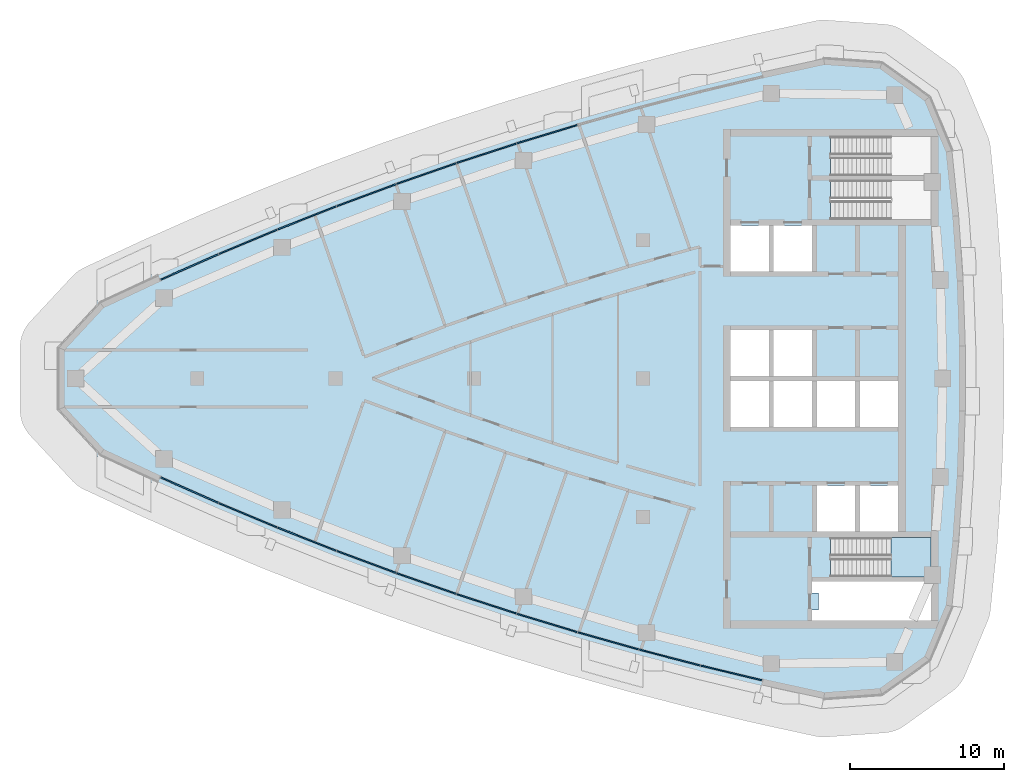
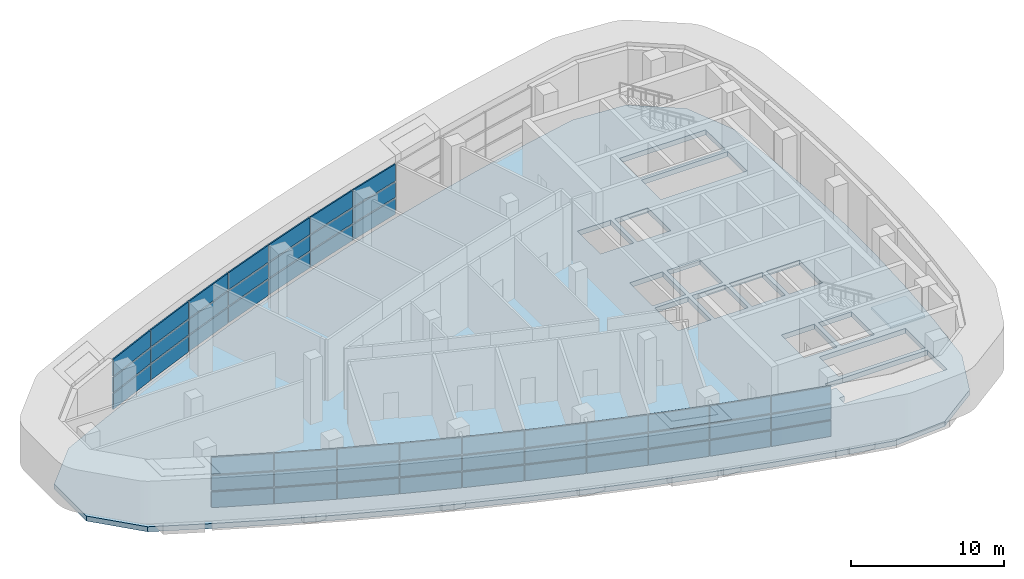
# One storey, part 6 of 14: 51 plates, 2 slabs, 1 opening, 10 elements without a shape of their own.
"""IFC4 building model written with IfcOpenShell, lengths in metres."""

from ifc_helpers import new_model, si_unit, direction, frame, origin, origin_2d, place, context, subcontext, project, spatial, polyline, rectangle, outline, extrude, material, layer, layer_set, type_object, element, aggregate, save


model = new_model("IFC4")

# Units and contexts
model_context = context("Model", 3, precision=1e-05, world=origin(), true_north=direction((0.0, 1.0)))
body_context = subcontext(model_context, "Body", "Model", "MODEL_VIEW")
ifc_project = project(units=[si_unit("LENGTHUNIT", "METRE"), si_unit("AREAUNIT", "SQUARE_METRE"), si_unit("VOLUMEUNIT", "CUBIC_METRE"), si_unit("PLANEANGLEUNIT", "RADIAN"), si_unit("MASSUNIT", "GRAM", prefix="KILO")], contexts=[model_context])

# Site, building, storey
site_placement = place(None, origin())
site = spatial("IfcSite", under=ifc_project, at=site_placement, CompositionType="ELEMENT")
building_placement = place(site_placement, origin())
building = spatial("IfcBuilding", under=site, at=building_placement, Name="Ostrand Prow Hotel Tower", CompositionType="ELEMENT")
storey_placement = place(building_placement, frame((0.0, 0.0, 303.39990234375)))
storey = spatial("IfcBuildingStorey", under=building, at=storey_placement, Name="L77", CompositionType="ELEMENT", Elevation=303.39990234375)

# Curtain wall, plates
ifc_material_1 = material(Name="Insulated glass in bronze anodised frame", Category="glass")
ifc_layer_1 = layer(ifc_material_1, 0.199951171875)
ifc_layer_set_1 = layer_set([ifc_layer_1], Name="Insulated glass in bronze anodised frame")
curtain_wall_type = type_object("IfcCurtainWallType", Name="Plant storey louvre wall", PredefinedType="NOTDEFINED", material=ifc_layer_set_1)
curtain_wall_1_placement = place(storey_placement, origin())
curtain_wall_1 = element("IfcCurtainWall", 1, at=curtain_wall_1_placement, inside=storey, type_object=curtain_wall_type, Name="CW7 run CWS1", PredefinedType="NOTDEFINED")
ifc_material_2 = material(Name="Bronze anodised aluminium louvre", Category="aluminium")
ifc_layer_2 = layer(ifc_material_2, 0.10009765625)
ifc_layer_set_2 = layer_set([ifc_layer_2], Name="Bronze anodised aluminium louvre")
plate_type = type_object("IfcPlateType", Name="Bronze louvre panel 100 mm", PredefinedType="CURTAIN_PANEL", material=ifc_layer_set_2)
plate_1_placement = place(storey_placement, frame((15.493408203125, -7.259765625, 0.89990234375), z_axis=(0.0, 0.0, 1.0), x_axis=(0.914785615941, -0.403939694592, 0.0)))
plate_1 = element("IfcPlate", 2, at=plate_1_placement, type_object=plate_type, Name="CW7 PN-V panel 1.1", PredefinedType="CURTAIN_PANEL", context=body_context, shape_type="SweptSolid", body=[
    extrude(rectangle(XDim=4.079833984375, YDim=0.10009765625, at=origin_2d()), origin(), (0.0, 0.0, 1.0), 1.239990234375),
])
plate_2_placement = place(storey_placement, frame((15.493408203125, -7.259765625, 2.26025390625), z_axis=(0.0, 0.0, 1.0), x_axis=(0.914785615941, -0.403939694592, 0.0)))
plate_2 = element("IfcPlate", 3, at=plate_2_placement, type_object=plate_type, Name="CW7 PN-V panel 1.2", PredefinedType="CURTAIN_PANEL", context=body_context, shape_type="SweptSolid", body=[
    extrude(rectangle(XDim=4.079833984375, YDim=0.10009765625, at=origin_2d()), origin(), (0.0, 0.0, 1.0), 1.179931640625),
])
plate_3_placement = place(storey_placement, frame((15.493408203125, -7.259765625, 3.56005859375), z_axis=(0.0, 0.0, 1.0), x_axis=(0.914785615941, -0.403939694592, 0.0)))
plate_3 = element("IfcPlate", 4, at=plate_3_placement, type_object=plate_type, Name="CW7 PN-V panel 1.3", PredefinedType="CURTAIN_PANEL", context=body_context, shape_type="SweptSolid", body=[
    extrude(rectangle(XDim=4.079833984375, YDim=0.10009765625, at=origin_2d()), origin(), (0.0, 0.0, 1.0), 1.340087890625),
])
plate_4_placement = place(storey_placement, frame((19.297119140625, -8.893798828125, 0.89990234375), z_axis=(0.0, 0.0, 1.0), x_axis=(0.922719840955, -0.385471263659, 0.0)))
plate_4 = element("IfcPlate", 5, at=plate_4_placement, type_object=plate_type, Name="CW7 PN-V panel 2.1", PredefinedType="CURTAIN_PANEL", context=body_context, shape_type="SweptSolid", body=[
    extrude(rectangle(XDim=4.079833984375, YDim=0.10009765625, at=origin_2d()), origin(), (0.0, 0.0, 1.0), 1.239990234375),
])
plate_5_placement = place(storey_placement, frame((19.297119140625, -8.893798828125, 2.26025390625), z_axis=(0.0, 0.0, 1.0), x_axis=(0.922719840955, -0.385471263659, 0.0)))
plate_5 = element("IfcPlate", 6, at=plate_5_placement, type_object=plate_type, Name="CW7 PN-V panel 2.2", PredefinedType="CURTAIN_PANEL", context=body_context, shape_type="SweptSolid", body=[
    extrude(rectangle(XDim=4.079833984375, YDim=0.10009765625, at=origin_2d()), origin(), (0.0, 0.0, 1.0), 1.179931640625),
])
plate_6_placement = place(storey_placement, frame((19.297119140625, -8.893798828125, 3.56005859375), z_axis=(0.0, 0.0, 1.0), x_axis=(0.922719840955, -0.385471263659, 0.0)))
plate_6 = element("IfcPlate", 7, at=plate_6_placement, type_object=plate_type, Name="CW7 PN-V panel 2.3", PredefinedType="CURTAIN_PANEL", context=body_context, shape_type="SweptSolid", body=[
    extrude(rectangle(XDim=4.079833984375, YDim=0.10009765625, at=origin_2d()), origin(), (0.0, 0.0, 1.0), 1.340087890625),
])
aggregate(curtain_wall_1, [plate_1, plate_2, plate_3, plate_4, plate_5, plate_6])

curtain_wall_2_placement = place(storey_placement, origin())
curtain_wall_2 = element("IfcCurtainWall", 8, at=curtain_wall_2_placement, inside=storey, type_object=curtain_wall_type, Name="CW7 run CWS2", PredefinedType="NOTDEFINED")
plate_7_placement = place(storey_placement, frame((23.132568359375, -10.450927734375, 0.89990234375), z_axis=(0.0, 0.0, 1.0), x_axis=(0.930281895249, -0.366845465248, 0.0)))
plate_7 = element("IfcPlate", 9, at=plate_7_placement, type_object=plate_type, Name="CW7 PN-V panel 1.1", PredefinedType="CURTAIN_PANEL", context=body_context, shape_type="SweptSolid", body=[
    extrude(rectangle(XDim=4.079833984375, YDim=0.10009765625, at=origin_2d()), origin(), (0.0, 0.0, 1.0), 1.239990234375),
])
plate_8_placement = place(storey_placement, frame((23.132568359375, -10.450927734375, 2.26025390625), z_axis=(0.0, 0.0, 1.0), x_axis=(0.930281895249, -0.366845465248, 0.0)))
plate_8 = element("IfcPlate", 10, at=plate_8_placement, type_object=plate_type, Name="CW7 PN-V panel 1.2", PredefinedType="CURTAIN_PANEL", context=body_context, shape_type="SweptSolid", body=[
    extrude(rectangle(XDim=4.079833984375, YDim=0.10009765625, at=origin_2d()), origin(), (0.0, 0.0, 1.0), 1.179931640625),
])
plate_9_placement = place(storey_placement, frame((23.132568359375, -10.450927734375, 3.56005859375), z_axis=(0.0, 0.0, 1.0), x_axis=(0.930281895249, -0.366845465248, 0.0)))
plate_9 = element("IfcPlate", 11, at=plate_9_placement, type_object=plate_type, Name="CW7 PN-V panel 1.3", PredefinedType="CURTAIN_PANEL", context=body_context, shape_type="SweptSolid", body=[
    extrude(rectangle(XDim=4.079833984375, YDim=0.10009765625, at=origin_2d()), origin(), (0.0, 0.0, 1.0), 1.340087890625),
])
plate_10_placement = place(storey_placement, frame((26.99853515625, -11.930908203125, 0.89990234375), z_axis=(0.0, 0.0, 1.0), x_axis=(0.937468017947, -0.348071422738, 0.0)))
plate_10 = element("IfcPlate", 12, at=plate_10_placement, type_object=plate_type, Name="CW7 PN-V panel 2.1", PredefinedType="CURTAIN_PANEL", context=body_context, shape_type="SweptSolid", body=[
    extrude(rectangle(XDim=4.079833984375, YDim=0.10009765625, at=origin_2d()), origin(), (0.0, 0.0, 1.0), 1.239990234375),
])
plate_11_placement = place(storey_placement, frame((26.99853515625, -11.930908203125, 2.26025390625), z_axis=(0.0, 0.0, 1.0), x_axis=(0.937468017947, -0.348071422738, 0.0)))
plate_11 = element("IfcPlate", 13, at=plate_11_placement, type_object=plate_type, Name="CW7 PN-V panel 2.2", PredefinedType="CURTAIN_PANEL", context=body_context, shape_type="SweptSolid", body=[
    extrude(rectangle(XDim=4.079833984375, YDim=0.10009765625, at=origin_2d()), origin(), (0.0, 0.0, 1.0), 1.179931640625),
])
plate_12_placement = place(storey_placement, frame((26.99853515625, -11.930908203125, 3.56005859375), z_axis=(0.0, 0.0, 1.0), x_axis=(0.937468017947, -0.348071422738, 0.0)))
plate_12 = element("IfcPlate", 14, at=plate_12_placement, type_object=plate_type, Name="CW7 PN-V panel 2.3", PredefinedType="CURTAIN_PANEL", context=body_context, shape_type="SweptSolid", body=[
    extrude(rectangle(XDim=4.079833984375, YDim=0.10009765625, at=origin_2d()), origin(), (0.0, 0.0, 1.0), 1.340087890625),
])
aggregate(curtain_wall_2, [plate_7, plate_8, plate_9, plate_10, plate_11, plate_12])

curtain_wall_3_placement = place(storey_placement, origin())
curtain_wall_3 = element("IfcCurtainWall", 15, at=curtain_wall_3_placement, inside=storey, type_object=curtain_wall_type, Name="CW7 run CWS3", PredefinedType="NOTDEFINED")
plate_13_placement = place(storey_placement, frame((30.8935546875, -13.33251953125, 0.89990234375), z_axis=(0.0, 0.0, 1.0), x_axis=(0.944274730614, -0.329158370885, 0.0)))
plate_13 = element("IfcPlate", 16, at=plate_13_placement, type_object=plate_type, Name="CW7 PN-V panel 1.1", PredefinedType="CURTAIN_PANEL", context=body_context, shape_type="SweptSolid", body=[
    extrude(rectangle(XDim=4.079833984375, YDim=0.10009765625, at=origin_2d()), origin(), (0.0, 0.0, 1.0), 1.239990234375),
])
plate_14_placement = place(storey_placement, frame((30.8935546875, -13.33251953125, 2.26025390625), z_axis=(0.0, 0.0, 1.0), x_axis=(0.944274730614, -0.329158370885, 0.0)))
plate_14 = element("IfcPlate", 17, at=plate_14_placement, type_object=plate_type, Name="CW7 PN-V panel 1.2", PredefinedType="CURTAIN_PANEL", context=body_context, shape_type="SweptSolid", body=[
    extrude(rectangle(XDim=4.079833984375, YDim=0.10009765625, at=origin_2d()), origin(), (0.0, 0.0, 1.0), 1.179931640625),
])
plate_15_placement = place(storey_placement, frame((30.8935546875, -13.33251953125, 3.56005859375), z_axis=(0.0, 0.0, 1.0), x_axis=(0.944274730614, -0.329158370885, 0.0)))
plate_15 = element("IfcPlate", 18, at=plate_15_placement, type_object=plate_type, Name="CW7 PN-V panel 1.3", PredefinedType="CURTAIN_PANEL", context=body_context, shape_type="SweptSolid", body=[
    extrude(rectangle(XDim=4.079833984375, YDim=0.10009765625, at=origin_2d()), origin(), (0.0, 0.0, 1.0), 1.340087890625),
])
plate_16_placement = place(storey_placement, frame((34.81591796875, -14.65576171875, 0.89990234375), z_axis=(0.0, 0.0, 1.0), x_axis=(0.950700464612, -0.310110668289, 0.0)))
plate_16 = element("IfcPlate", 19, at=plate_16_placement, type_object=plate_type, Name="CW7 PN-V panel 2.1", PredefinedType="CURTAIN_PANEL", context=body_context, shape_type="SweptSolid", body=[
    extrude(rectangle(XDim=4.079833984375, YDim=0.10009765625, at=origin_2d()), origin(), (0.0, 0.0, 1.0), 1.239990234375),
])
plate_17_placement = place(storey_placement, frame((34.81591796875, -14.65576171875, 2.26025390625), z_axis=(0.0, 0.0, 1.0), x_axis=(0.950700464612, -0.310110668289, 0.0)))
plate_17 = element("IfcPlate", 20, at=plate_17_placement, type_object=plate_type, Name="CW7 PN-V panel 2.2", PredefinedType="CURTAIN_PANEL", context=body_context, shape_type="SweptSolid", body=[
    extrude(rectangle(XDim=4.079833984375, YDim=0.10009765625, at=origin_2d()), origin(), (0.0, 0.0, 1.0), 1.179931640625),
])
plate_18_placement = place(storey_placement, frame((34.81591796875, -14.65576171875, 3.56005859375), z_axis=(0.0, 0.0, 1.0), x_axis=(0.950700464612, -0.310110668289, 0.0)))
plate_18 = element("IfcPlate", 21, at=plate_18_placement, type_object=plate_type, Name="CW7 PN-V panel 2.3", PredefinedType="CURTAIN_PANEL", context=body_context, shape_type="SweptSolid", body=[
    extrude(rectangle(XDim=4.079833984375, YDim=0.10009765625, at=origin_2d()), origin(), (0.0, 0.0, 1.0), 1.340087890625),
])
aggregate(curtain_wall_3, [plate_13, plate_14, plate_15, plate_16, plate_17, plate_18])

curtain_wall_4_placement = place(storey_placement, origin())
curtain_wall_4 = element("IfcCurtainWall", 22, at=curtain_wall_4_placement, inside=storey, type_object=curtain_wall_type, Name="CW7 run CWS4", PredefinedType="NOTDEFINED")
plate_19_placement = place(storey_placement, frame((38.76416015625, -15.89990234375, 0.89990234375), z_axis=(0.0, 0.0, 1.0), x_axis=(0.956742015769, -0.290937648411, 0.0)))
plate_19 = element("IfcPlate", 23, at=plate_19_placement, type_object=plate_type, Name="CW7 PN-V panel 1.1", PredefinedType="CURTAIN_PANEL", context=body_context, shape_type="SweptSolid", body=[
    extrude(rectangle(XDim=4.079833984375, YDim=0.10009765625, at=origin_2d()), origin(), (0.0, 0.0, 1.0), 1.239990234375),
])
plate_20_placement = place(storey_placement, frame((38.76416015625, -15.89990234375, 2.26025390625), z_axis=(0.0, 0.0, 1.0), x_axis=(0.956742015769, -0.290937648411, 0.0)))
plate_20 = element("IfcPlate", 24, at=plate_20_placement, type_object=plate_type, Name="CW7 PN-V panel 1.2", PredefinedType="CURTAIN_PANEL", context=body_context, shape_type="SweptSolid", body=[
    extrude(rectangle(XDim=4.079833984375, YDim=0.10009765625, at=origin_2d()), origin(), (0.0, 0.0, 1.0), 1.179931640625),
])
plate_21_placement = place(storey_placement, frame((38.76416015625, -15.89990234375, 3.56005859375), z_axis=(0.0, 0.0, 1.0), x_axis=(0.956742015769, -0.290937648411, 0.0)))
plate_21 = element("IfcPlate", 25, at=plate_21_placement, type_object=plate_type, Name="CW7 PN-V panel 1.3", PredefinedType="CURTAIN_PANEL", context=body_context, shape_type="SweptSolid", body=[
    extrude(rectangle(XDim=4.079833984375, YDim=0.10009765625, at=origin_2d()), origin(), (0.0, 0.0, 1.0), 1.340087890625),
])
plate_22_placement = place(storey_placement, frame((42.736572265625, -17.064453125, 0.89990234375), z_axis=(0.0, 0.0, 1.0), x_axis=(0.962396468548, -0.271648738865, 0.0)))
plate_22 = element("IfcPlate", 26, at=plate_22_placement, type_object=plate_type, Name="CW7 PN-V panel 2.1", PredefinedType="CURTAIN_PANEL", context=body_context, shape_type="SweptSolid", body=[
    extrude(rectangle(XDim=4.079833984375, YDim=0.10009765625, at=origin_2d()), origin(), (0.0, 0.0, 1.0), 1.239990234375),
])
plate_23_placement = place(storey_placement, frame((42.736572265625, -17.064453125, 2.26025390625), z_axis=(0.0, 0.0, 1.0), x_axis=(0.962396468548, -0.271648738865, 0.0)))
plate_23 = element("IfcPlate", 27, at=plate_23_placement, type_object=plate_type, Name="CW7 PN-V panel 2.2", PredefinedType="CURTAIN_PANEL", context=body_context, shape_type="SweptSolid", body=[
    extrude(rectangle(XDim=4.079833984375, YDim=0.10009765625, at=origin_2d()), origin(), (0.0, 0.0, 1.0), 1.179931640625),
])
plate_24_placement = place(storey_placement, frame((42.736572265625, -17.064453125, 3.56005859375), z_axis=(0.0, 0.0, 1.0), x_axis=(0.962396468548, -0.271648738865, 0.0)))
plate_24 = element("IfcPlate", 28, at=plate_24_placement, type_object=plate_type, Name="CW7 PN-V panel 2.3", PredefinedType="CURTAIN_PANEL", context=body_context, shape_type="SweptSolid", body=[
    extrude(rectangle(XDim=4.079833984375, YDim=0.10009765625, at=origin_2d()), origin(), (0.0, 0.0, 1.0), 1.340087890625),
])
aggregate(curtain_wall_4, [plate_19, plate_20, plate_21, plate_22, plate_23, plate_24])

curtain_wall_5_placement = place(storey_placement, origin())
curtain_wall_5 = element("IfcCurtainWall", 29, at=curtain_wall_5_placement, inside=storey, type_object=curtain_wall_type, Name="CW7 run CWS5", PredefinedType="NOTDEFINED")
plate_25_placement = place(storey_placement, frame((46.731689453125, -18.148681640625, 0.89990234375), z_axis=(0.0, 0.0, 1.0), x_axis=(0.967662519855, -0.252248384867, 0.0)))
plate_25 = element("IfcPlate", 30, at=plate_25_placement, type_object=plate_type, Name="CW7 PN-V panel 1.1", PredefinedType="CURTAIN_PANEL", context=body_context, shape_type="SweptSolid", body=[
    extrude(rectangle(XDim=4.079833984375, YDim=0.10009765625, at=origin_2d()), origin(), (0.0, 0.0, 1.0), 1.239990234375),
])
plate_26_placement = place(storey_placement, frame((46.731689453125, -18.148681640625, 2.26025390625), z_axis=(0.0, 0.0, 1.0), x_axis=(0.967662519855, -0.252248384867, 0.0)))
plate_26 = element("IfcPlate", 31, at=plate_26_placement, type_object=plate_type, Name="CW7 PN-V panel 1.2", PredefinedType="CURTAIN_PANEL", context=body_context, shape_type="SweptSolid", body=[
    extrude(rectangle(XDim=4.079833984375, YDim=0.10009765625, at=origin_2d()), origin(), (0.0, 0.0, 1.0), 1.179931640625),
])
plate_27_placement = place(storey_placement, frame((46.731689453125, -18.148681640625, 3.56005859375), z_axis=(0.0, 0.0, 1.0), x_axis=(0.967662519855, -0.252248384867, 0.0)))
plate_27 = element("IfcPlate", 32, at=plate_27_placement, type_object=plate_type, Name="CW7 PN-V panel 1.3", PredefinedType="CURTAIN_PANEL", context=body_context, shape_type="SweptSolid", body=[
    extrude(rectangle(XDim=4.079833984375, YDim=0.10009765625, at=origin_2d()), origin(), (0.0, 0.0, 1.0), 1.340087890625),
])
plate_28_placement = place(storey_placement, frame((50.74755859375, -19.152587890625, 0.89990234375), z_axis=(0.0, 0.0, 1.0), x_axis=(0.972537533869, -0.232746096028, 0.0)))
plate_28 = element("IfcPlate", 33, at=plate_28_placement, type_object=plate_type, Name="CW7 PN-V panel 2.1", PredefinedType="CURTAIN_PANEL", context=body_context, shape_type="SweptSolid", body=[
    extrude(rectangle(XDim=4.079833984375, YDim=0.10009765625, at=origin_2d()), origin(), (0.0, 0.0, 1.0), 1.239990234375),
])
plate_29_placement = place(storey_placement, frame((50.74755859375, -19.152587890625, 2.26025390625), z_axis=(0.0, 0.0, 1.0), x_axis=(0.972537533869, -0.232746096028, 0.0)))
plate_29 = element("IfcPlate", 34, at=plate_29_placement, type_object=plate_type, Name="CW7 PN-V panel 2.2", PredefinedType="CURTAIN_PANEL", context=body_context, shape_type="SweptSolid", body=[
    extrude(rectangle(XDim=4.079833984375, YDim=0.10009765625, at=origin_2d()), origin(), (0.0, 0.0, 1.0), 1.179931640625),
])
plate_30_placement = place(storey_placement, frame((50.74755859375, -19.152587890625, 3.56005859375), z_axis=(0.0, 0.0, 1.0), x_axis=(0.972537533869, -0.232746096028, 0.0)))
plate_30 = element("IfcPlate", 35, at=plate_30_placement, type_object=plate_type, Name="CW7 PN-V panel 2.3", PredefinedType="CURTAIN_PANEL", context=body_context, shape_type="SweptSolid", body=[
    extrude(rectangle(XDim=4.079833984375, YDim=0.10009765625, at=origin_2d()), origin(), (0.0, 0.0, 1.0), 1.340087890625),
])
aggregate(curtain_wall_5, [plate_25, plate_26, plate_27, plate_28, plate_29, plate_30])

curtain_wall_6_placement = place(storey_placement, origin())
curtain_wall_6 = element("IfcCurtainWall", 36, at=curtain_wall_6_placement, inside=storey, type_object=curtain_wall_type, Name="CW7 run CWN2", PredefinedType="NOTDEFINED")
plate_31_placement = place(storey_placement, frame((38.76416015625, 15.89990234375, 0.89990234375), z_axis=(0.0, 0.0, 1.0), x_axis=(-0.956742015769, -0.290937648411, 0.0)))
plate_31 = element("IfcPlate", 37, at=plate_31_placement, type_object=plate_type, Name="CW7 PN-V panel 2.1", PredefinedType="CURTAIN_PANEL", context=body_context, shape_type="SweptSolid", body=[
    extrude(rectangle(XDim=4.079833984375, YDim=0.10009765625, at=origin_2d()), origin(), (0.0, 0.0, 1.0), 1.239990234375),
])
plate_32_placement = place(storey_placement, frame((38.76416015625, 15.89990234375, 2.26025390625), z_axis=(0.0, 0.0, 1.0), x_axis=(-0.956742015769, -0.290937648411, 0.0)))
plate_32 = element("IfcPlate", 38, at=plate_32_placement, type_object=plate_type, Name="CW7 PN-V panel 2.2", PredefinedType="CURTAIN_PANEL", context=body_context, shape_type="SweptSolid", body=[
    extrude(rectangle(XDim=4.079833984375, YDim=0.10009765625, at=origin_2d()), origin(), (0.0, 0.0, 1.0), 1.179931640625),
])
plate_33_placement = place(storey_placement, frame((38.76416015625, 15.89990234375, 3.56005859375), z_axis=(0.0, 0.0, 1.0), x_axis=(-0.956742015769, -0.290937648411, 0.0)))
plate_33 = element("IfcPlate", 39, at=plate_33_placement, type_object=plate_type, Name="CW7 PN-V panel 2.3", PredefinedType="CURTAIN_PANEL", context=body_context, shape_type="SweptSolid", body=[
    extrude(rectangle(XDim=4.079833984375, YDim=0.10009765625, at=origin_2d()), origin(), (0.0, 0.0, 1.0), 1.340087890625),
])
aggregate(curtain_wall_6, [plate_31, plate_32, plate_33])

curtain_wall_7_placement = place(storey_placement, origin())
curtain_wall_7 = element("IfcCurtainWall", 40, at=curtain_wall_7_placement, inside=storey, type_object=curtain_wall_type, Name="CW7 run CWN3", PredefinedType="NOTDEFINED")
plate_34_placement = place(storey_placement, frame((34.81591796875, 14.65576171875, 0.89990234375), z_axis=(0.0, 0.0, 1.0), x_axis=(-0.950700464612, -0.310110668289, 0.0)))
plate_34 = element("IfcPlate", 41, at=plate_34_placement, type_object=plate_type, Name="CW7 PN-V panel 1.1", PredefinedType="CURTAIN_PANEL", context=body_context, shape_type="SweptSolid", body=[
    extrude(rectangle(XDim=4.079833984375, YDim=0.10009765625, at=origin_2d()), origin(), (0.0, 0.0, 1.0), 1.239990234375),
])
plate_35_placement = place(storey_placement, frame((34.81591796875, 14.65576171875, 2.26025390625), z_axis=(0.0, 0.0, 1.0), x_axis=(-0.950700464612, -0.310110668289, 0.0)))
plate_35 = element("IfcPlate", 42, at=plate_35_placement, type_object=plate_type, Name="CW7 PN-V panel 1.2", PredefinedType="CURTAIN_PANEL", context=body_context, shape_type="SweptSolid", body=[
    extrude(rectangle(XDim=4.079833984375, YDim=0.10009765625, at=origin_2d()), origin(), (0.0, 0.0, 1.0), 1.179931640625),
])
plate_36_placement = place(storey_placement, frame((34.81591796875, 14.65576171875, 3.56005859375), z_axis=(0.0, 0.0, 1.0), x_axis=(-0.950700464612, -0.310110668289, 0.0)))
plate_36 = element("IfcPlate", 43, at=plate_36_placement, type_object=plate_type, Name="CW7 PN-V panel 1.3", PredefinedType="CURTAIN_PANEL", context=body_context, shape_type="SweptSolid", body=[
    extrude(rectangle(XDim=4.079833984375, YDim=0.10009765625, at=origin_2d()), origin(), (0.0, 0.0, 1.0), 1.340087890625),
])
plate_37_placement = place(storey_placement, frame((30.8935546875, 13.33251953125, 0.89990234375), z_axis=(0.0, 0.0, 1.0), x_axis=(-0.944274730614, -0.329158370885, 0.0)))
plate_37 = element("IfcPlate", 44, at=plate_37_placement, type_object=plate_type, Name="CW7 PN-V panel 2.1", PredefinedType="CURTAIN_PANEL", context=body_context, shape_type="SweptSolid", body=[
    extrude(rectangle(XDim=4.079833984375, YDim=0.10009765625, at=origin_2d()), origin(), (0.0, 0.0, 1.0), 1.239990234375),
])
plate_38_placement = place(storey_placement, frame((30.8935546875, 13.33251953125, 2.26025390625), z_axis=(0.0, 0.0, 1.0), x_axis=(-0.944274730614, -0.329158370885, 0.0)))
plate_38 = element("IfcPlate", 45, at=plate_38_placement, type_object=plate_type, Name="CW7 PN-V panel 2.2", PredefinedType="CURTAIN_PANEL", context=body_context, shape_type="SweptSolid", body=[
    extrude(rectangle(XDim=4.079833984375, YDim=0.10009765625, at=origin_2d()), origin(), (0.0, 0.0, 1.0), 1.179931640625),
])
plate_39_placement = place(storey_placement, frame((30.8935546875, 13.33251953125, 3.56005859375), z_axis=(0.0, 0.0, 1.0), x_axis=(-0.944274730614, -0.329158370885, 0.0)))
plate_39 = element("IfcPlate", 46, at=plate_39_placement, type_object=plate_type, Name="CW7 PN-V panel 2.3", PredefinedType="CURTAIN_PANEL", context=body_context, shape_type="SweptSolid", body=[
    extrude(rectangle(XDim=4.079833984375, YDim=0.10009765625, at=origin_2d()), origin(), (0.0, 0.0, 1.0), 1.340087890625),
])
aggregate(curtain_wall_7, [plate_34, plate_35, plate_36, plate_37, plate_38, plate_39])

curtain_wall_8_placement = place(storey_placement, origin())
curtain_wall_8 = element("IfcCurtainWall", 47, at=curtain_wall_8_placement, inside=storey, type_object=curtain_wall_type, Name="CW7 run CWN4", PredefinedType="NOTDEFINED")
plate_40_placement = place(storey_placement, frame((26.99853515625, 11.930908203125, 0.89990234375), z_axis=(0.0, 0.0, 1.0), x_axis=(-0.937468017947, -0.348071422738, 0.0)))
plate_40 = element("IfcPlate", 48, at=plate_40_placement, type_object=plate_type, Name="CW7 PN-V panel 1.1", PredefinedType="CURTAIN_PANEL", context=body_context, shape_type="SweptSolid", body=[
    extrude(rectangle(XDim=4.079833984375, YDim=0.10009765625, at=origin_2d()), origin(), (0.0, 0.0, 1.0), 1.239990234375),
])
plate_41_placement = place(storey_placement, frame((26.99853515625, 11.930908203125, 2.26025390625), z_axis=(0.0, 0.0, 1.0), x_axis=(-0.937468017947, -0.348071422738, 0.0)))
plate_41 = element("IfcPlate", 49, at=plate_41_placement, type_object=plate_type, Name="CW7 PN-V panel 1.2", PredefinedType="CURTAIN_PANEL", context=body_context, shape_type="SweptSolid", body=[
    extrude(rectangle(XDim=4.079833984375, YDim=0.10009765625, at=origin_2d()), origin(), (0.0, 0.0, 1.0), 1.179931640625),
])
plate_42_placement = place(storey_placement, frame((26.99853515625, 11.930908203125, 3.56005859375), z_axis=(0.0, 0.0, 1.0), x_axis=(-0.937468017947, -0.348071422738, 0.0)))
plate_42 = element("IfcPlate", 50, at=plate_42_placement, type_object=plate_type, Name="CW7 PN-V panel 1.3", PredefinedType="CURTAIN_PANEL", context=body_context, shape_type="SweptSolid", body=[
    extrude(rectangle(XDim=4.079833984375, YDim=0.10009765625, at=origin_2d()), origin(), (0.0, 0.0, 1.0), 1.340087890625),
])
plate_43_placement = place(storey_placement, frame((23.132568359375, 10.450927734375, 0.89990234375), z_axis=(0.0, 0.0, 1.0), x_axis=(-0.930281895249, -0.366845465248, 0.0)))
plate_43 = element("IfcPlate", 51, at=plate_43_placement, type_object=plate_type, Name="CW7 PN-V panel 2.1", PredefinedType="CURTAIN_PANEL", context=body_context, shape_type="SweptSolid", body=[
    extrude(rectangle(XDim=4.079833984375, YDim=0.10009765625, at=origin_2d()), origin(), (0.0, 0.0, 1.0), 1.239990234375),
])
plate_44_placement = place(storey_placement, frame((23.132568359375, 10.450927734375, 2.26025390625), z_axis=(0.0, 0.0, 1.0), x_axis=(-0.930281895249, -0.366845465248, 0.0)))
plate_44 = element("IfcPlate", 52, at=plate_44_placement, type_object=plate_type, Name="CW7 PN-V panel 2.2", PredefinedType="CURTAIN_PANEL", context=body_context, shape_type="SweptSolid", body=[
    extrude(rectangle(XDim=4.079833984375, YDim=0.10009765625, at=origin_2d()), origin(), (0.0, 0.0, 1.0), 1.179931640625),
])
plate_45_placement = place(storey_placement, frame((23.132568359375, 10.450927734375, 3.56005859375), z_axis=(0.0, 0.0, 1.0), x_axis=(-0.930281895249, -0.366845465248, 0.0)))
plate_45 = element("IfcPlate", 53, at=plate_45_placement, type_object=plate_type, Name="CW7 PN-V panel 2.3", PredefinedType="CURTAIN_PANEL", context=body_context, shape_type="SweptSolid", body=[
    extrude(rectangle(XDim=4.079833984375, YDim=0.10009765625, at=origin_2d()), origin(), (0.0, 0.0, 1.0), 1.340087890625),
])
aggregate(curtain_wall_8, [plate_40, plate_41, plate_42, plate_43, plate_44, plate_45])

curtain_wall_9_placement = place(storey_placement, origin())
curtain_wall_9 = element("IfcCurtainWall", 54, at=curtain_wall_9_placement, inside=storey, type_object=curtain_wall_type, Name="CW7 run CWN5", PredefinedType="NOTDEFINED")
plate_46_placement = place(storey_placement, frame((19.297119140625, 8.893798828125, 0.89990234375), z_axis=(0.0, 0.0, 1.0), x_axis=(-0.922719840955, -0.385471263659, 0.0)))
plate_46 = element("IfcPlate", 55, at=plate_46_placement, type_object=plate_type, Name="CW7 PN-V panel 1.1", PredefinedType="CURTAIN_PANEL", context=body_context, shape_type="SweptSolid", body=[
    extrude(rectangle(XDim=4.079833984375, YDim=0.10009765625, at=origin_2d()), origin(), (0.0, 0.0, 1.0), 1.239990234375),
])
plate_47_placement = place(storey_placement, frame((19.297119140625, 8.893798828125, 2.26025390625), z_axis=(0.0, 0.0, 1.0), x_axis=(-0.922719840955, -0.385471263659, 0.0)))
plate_47 = element("IfcPlate", 56, at=plate_47_placement, type_object=plate_type, Name="CW7 PN-V panel 1.2", PredefinedType="CURTAIN_PANEL", context=body_context, shape_type="SweptSolid", body=[
    extrude(rectangle(XDim=4.079833984375, YDim=0.10009765625, at=origin_2d()), origin(), (0.0, 0.0, 1.0), 1.179931640625),
])
plate_48_placement = place(storey_placement, frame((19.297119140625, 8.893798828125, 3.56005859375), z_axis=(0.0, 0.0, 1.0), x_axis=(-0.922719840955, -0.385471263659, 0.0)))
plate_48 = element("IfcPlate", 57, at=plate_48_placement, type_object=plate_type, Name="CW7 PN-V panel 1.3", PredefinedType="CURTAIN_PANEL", context=body_context, shape_type="SweptSolid", body=[
    extrude(rectangle(XDim=4.079833984375, YDim=0.10009765625, at=origin_2d()), origin(), (0.0, 0.0, 1.0), 1.340087890625),
])
plate_49_placement = place(storey_placement, frame((15.493408203125, 7.259765625, 0.89990234375), z_axis=(0.0, 0.0, 1.0), x_axis=(-0.914785615941, -0.403939694592, 0.0)))
plate_49 = element("IfcPlate", 58, at=plate_49_placement, type_object=plate_type, Name="CW7 PN-V panel 2.1", PredefinedType="CURTAIN_PANEL", context=body_context, shape_type="SweptSolid", body=[
    extrude(rectangle(XDim=4.079833984375, YDim=0.10009765625, at=origin_2d()), origin(), (0.0, 0.0, 1.0), 1.239990234375),
])
plate_50_placement = place(storey_placement, frame((15.493408203125, 7.259765625, 2.26025390625), z_axis=(0.0, 0.0, 1.0), x_axis=(-0.914785615941, -0.403939694592, 0.0)))
plate_50 = element("IfcPlate", 59, at=plate_50_placement, type_object=plate_type, Name="CW7 PN-V panel 2.2", PredefinedType="CURTAIN_PANEL", context=body_context, shape_type="SweptSolid", body=[
    extrude(rectangle(XDim=4.079833984375, YDim=0.10009765625, at=origin_2d()), origin(), (0.0, 0.0, 1.0), 1.179931640625),
])
plate_51_placement = place(storey_placement, frame((15.493408203125, 7.259765625, 3.56005859375), z_axis=(0.0, 0.0, 1.0), x_axis=(-0.914785615941, -0.403939694592, 0.0)))
plate_51 = element("IfcPlate", 60, at=plate_51_placement, type_object=plate_type, Name="CW7 PN-V panel 2.3", PredefinedType="CURTAIN_PANEL", context=body_context, shape_type="SweptSolid", body=[
    extrude(rectangle(XDim=4.079833984375, YDim=0.10009765625, at=origin_2d()), origin(), (0.0, 0.0, 1.0), 1.340087890625),
])
aggregate(curtain_wall_9, [plate_46, plate_47, plate_48, plate_49, plate_50, plate_51])

# Slab, opening
ifc_material_3 = material(Name="Concrete C40/50", Category="concrete")
ifc_layer_3 = layer(ifc_material_3, 0.39990234375)
ifc_layer_set_3 = layer_set([ifc_layer_3], Name="Concrete C40/50")
slab_type_1 = type_object("IfcSlabType", Name="PT flat plate 400 C40/50", PredefinedType="FLOOR", material=ifc_layer_set_3)
slab_1_placement = place(storey_placement, frame((0.0, 0.0, -0.39990234375)))
slab_1 = element("IfcSlab", 61, at=slab_1_placement, inside=storey, type_object=slab_type_1, Name="Floor slab L77-1", PredefinedType="FLOOR", context=body_context, shape_type="SweptSolid", body=[
    extrude(outline(polyline([(9.560791015625, 5.168212890625), (13.365478515625, 6.9404296875), (17.1630859375, 8.6171875), (20.993408203125, 10.21728515625), (24.855224609375, 11.740234375), (28.746826171875, 13.185302734375), (32.666748046875, 14.551513671875), (36.61328125, 15.8388671875), (40.5849609375, 17.046630859375), (44.580078125, 18.17431640625), (48.596923828125, 19.221435546875), (52.634033203125, 20.187744140625), (56.72265625, 21.07958984375), (60.634765625, 20.80029296875), (63.84765625, 18.49072265625), (65.35888671875, 14.87060546875), (65.796875, 10.611083984375), (66.0869140625, 6.37158203125), (66.23193359375, 2.124755859375), (66.23193359375, -2.124755859375), (66.0869140625, -6.37158203125), (65.796875, -10.611083984375), (65.35888671875, -14.87060546875), (63.84765625, -18.49072265625), (60.634765625, -20.80029296875), (56.72265625, -21.07958984375), (52.634033203125, -20.187744140625), (48.596923828125, -19.221435546875), (44.580078125, -18.17431640625), (40.5849609375, -17.046630859375), (36.61328125, -15.8388671875), (32.666748046875, -14.551513671875), (28.746826171875, -13.185302734375), (24.855224609375, -11.740234375), (20.993408203125, -10.21728515625), (17.1630859375, -8.6171875), (13.365478515625, -6.9404296875), (9.560791015625, -5.168212890625), (6.71484375, -2.112548828125), (6.71484375, 2.112548828125), (9.560791015625, 5.168212890625)]), holes=[polyline([(50.699951171875, 6.949951171875), (53.199951171875, 6.949951171875), (53.199951171875, 9.949951171875), (50.699951171875, 9.949951171875), (50.699951171875, 6.949951171875)]), polyline([(53.5, 6.949951171875), (56.0, 6.949951171875), (56.0, 9.949951171875), (53.5, 9.949951171875), (53.5, 6.949951171875)]), polyline([(50.699951171875, 0.14990234375), (53.199951171875, 0.14990234375), (53.199951171875, 3.14990234375), (50.699951171875, 3.14990234375), (50.699951171875, 0.14990234375)]), polyline([(53.5, 0.14990234375), (56.0, 0.14990234375), (56.0, 3.14990234375), (53.5, 3.14990234375), (53.5, 0.14990234375)]), polyline([(50.699951171875, -3.14990234375), (53.199951171875, -3.14990234375), (53.199951171875, -0.14990234375), (50.699951171875, -0.14990234375), (50.699951171875, -3.14990234375)]), polyline([(53.5, -3.14990234375), (56.0, -3.14990234375), (56.0, -0.14990234375), (53.5, -0.14990234375), (53.5, -3.14990234375)]), polyline([(56.300048828125, -3.14990234375), (58.800048828125, -3.14990234375), (58.800048828125, -0.14990234375), (56.300048828125, -0.14990234375), (56.300048828125, -3.14990234375)]), polyline([(59.10009765625, -3.14990234375), (61.60009765625, -3.14990234375), (61.60009765625, -0.14990234375), (59.10009765625, -0.14990234375), (59.10009765625, -3.14990234375)]), polyline([(56.300048828125, -9.949951171875), (58.800048828125, -9.949951171875), (58.800048828125, -6.949951171875), (56.300048828125, -6.949951171875), (56.300048828125, -9.949951171875)]), polyline([(59.10009765625, -9.949951171875), (61.60009765625, -9.949951171875), (61.60009765625, -6.949951171875), (59.10009765625, -6.949951171875), (59.10009765625, -9.949951171875)]), polyline([(57.200927734375, 10.35107421875), (57.200927734375, 12.89892578125), (63.718994140625, 12.89892578125), (63.718994140625, 10.35107421875), (57.200927734375, 10.35107421875)]), polyline([(57.200927734375, 13.200927734375), (57.200927734375, 15.7490234375), (63.718994140625, 15.7490234375), (63.718994140625, 13.200927734375), (57.200927734375, 13.200927734375)]), polyline([(57.200927734375, -12.89892578125), (57.200927734375, -10.35107421875), (63.718994140625, -10.35107421875), (63.718994140625, -12.89892578125), (57.200927734375, -12.89892578125)]), polyline([(56.0, -13.949951171875), (56.0, -13.199951171875), (63.719970703125, -13.199951171875), (63.719970703125, -15.75), (56.0, -15.75), (56.0, -15.050048828125), (56.39990234375, -15.050048828125), (56.39990234375, -13.949951171875), (56.0, -13.949951171875)])]), origin(), (0.0, 0.0, 1.0), 0.39990234375),
])
opening_placement = place(slab_1_placement, origin())
element("IfcOpeningElement", 62, at=opening_placement, cuts=slab_1, Name="Shaft opening 1", PredefinedType="OPENING", context=body_context, shape_type="SweptSolid", body=[
    extrude(outline(polyline([(56.0, -13.949951171875), (56.0, -13.199951171875), (63.719970703125, -13.199951171875), (63.719970703125, -15.75), (56.0, -15.75), (56.0, -15.050048828125), (56.39990234375, -15.050048828125), (56.39990234375, -13.949951171875), (56.0, -13.949951171875)])), origin(), (0.0, 0.0, 1.0), 0.39990234375),
])

# Stair, slab
ifc_material_4 = material(Name="Concrete C40/50", Category="concrete")
stair_type = type_object("IfcStairType", Name="Exit stair 1200 upper zone", PredefinedType="HALF_TURN_STAIR", material=ifc_material_4)
stair_placement = place(storey_placement, origin())
stair = element("IfcStair", 63, at=stair_placement, inside=storey, type_object=stair_type, Name="L77 ST2C", PredefinedType="HALF_TURN_STAIR")
ifc_material_5 = material(Name="Concrete C40/50", Category="concrete")
ifc_layer_4 = layer(ifc_material_5, 0.199951171875)
ifc_layer_set_4 = layer_set([ifc_layer_4], Name="Concrete C40/50")
slab_type_2 = type_object("IfcSlabType", Name="Stair landing 200 concrete", PredefinedType="LANDING", material=ifc_layer_set_4)
slab_2_placement = place(storey_placement, frame((0.0, 0.0, 2.400146484375)))
slab_2 = element("IfcSlab", 64, at=slab_2_placement, type_object=slab_type_2, Name="ST2C landing 1", PredefinedType="LANDING", context=body_context, shape_type="SweptSolid", body=[
    extrude(outline(polyline([(61.1201171875, -12.89990234375), (63.719970703125, -12.89990234375), (63.719970703125, -10.35009765625), (61.1201171875, -10.35009765625), (61.1201171875, -12.89990234375)])), origin(), (0.0, 0.0, 1.0), 0.199951171875),
])
aggregate(stair, [slab_2])

save(model, "model.ifc")
